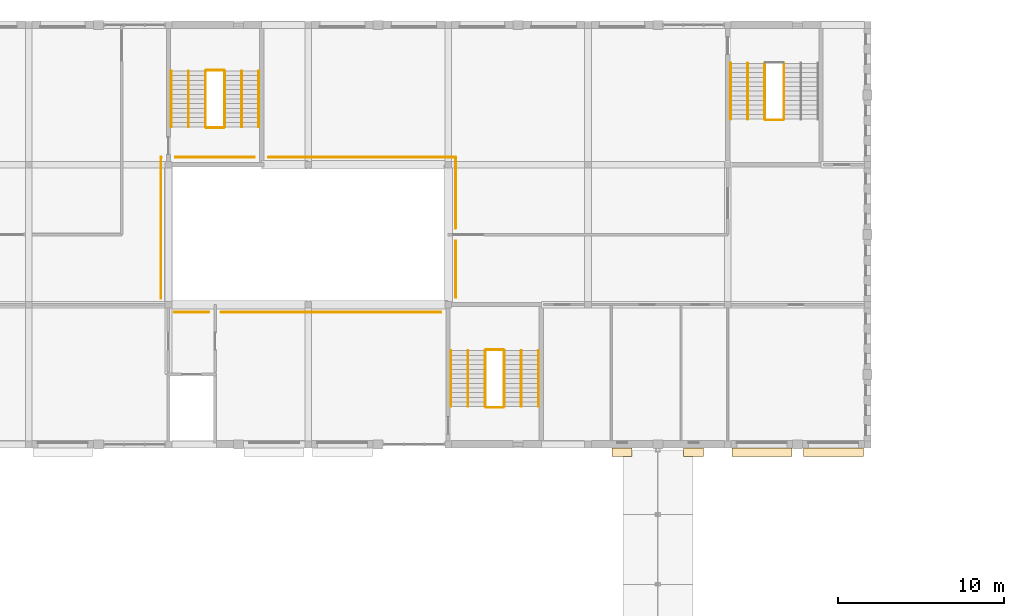
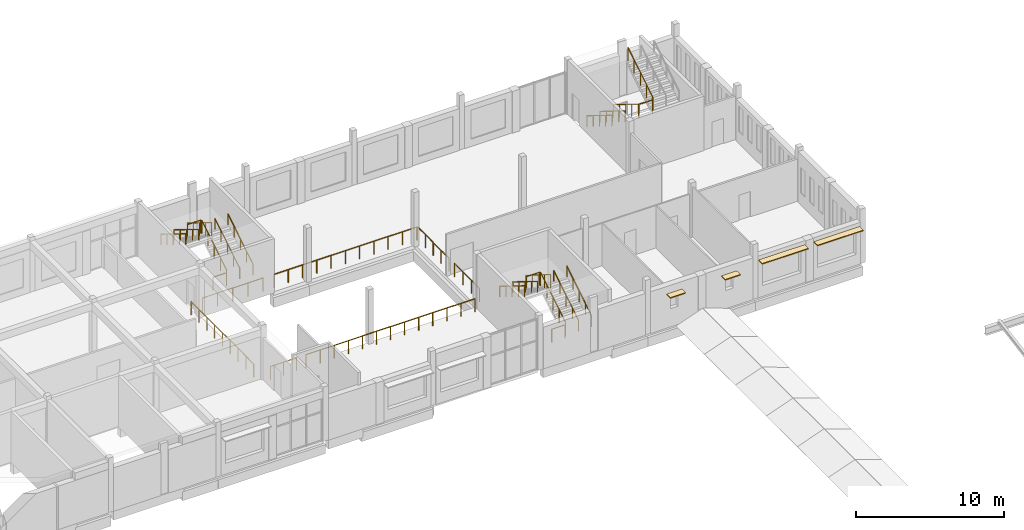
# One storey, part 37 of 38: 28 railings, 4 coverings.
"""IFC4 building model written with IfcOpenShell, lengths in metres."""

from ifc_helpers import new_model, si_unit, direction, frame, origin, origin_2d, place, context, subcontext, project, spatial, rectangle, circle, extrude, material, layer, layer_set, type_object, element, save


model = new_model("IFC4")

# Units and contexts
model_context = context("Model", 3, precision=1e-05, world=origin(), true_north=direction((0.0, 1.0)))
body_context = subcontext(model_context, "Body", "Model", "MODEL_VIEW")
ifc_project = project(units=[si_unit("LENGTHUNIT", "METRE"), si_unit("AREAUNIT", "SQUARE_METRE"), si_unit("VOLUMEUNIT", "CUBIC_METRE"), si_unit("PLANEANGLEUNIT", "RADIAN"), si_unit("MASSUNIT", "GRAM", prefix="KILO")], contexts=[model_context])

# Site, building, storey
site_placement = place(None, origin())
site = spatial("IfcSite", under=ifc_project, at=site_placement, CompositionType="ELEMENT")
building_placement = place(site_placement, origin())
building = spatial("IfcBuilding", under=site, at=building_placement, Name="Fescue Hill Polytechnic", CompositionType="ELEMENT")
storey_placement = place(building_placement, frame((0.0, 0.0, 18.0)))
storey = spatial("IfcBuildingStorey", under=building, at=storey_placement, Name="L04", CompositionType="ELEMENT", Elevation=18.0)

# Coverings
ifc_material_1 = material(Name="Precast concrete C40/50", Category="concrete")
ifc_layer = layer(ifc_material_1, 0.080078125)
ifc_layer_set = layer_set([ifc_layer], Name="Precast concrete C40/50")
covering_type = type_object("IfcCoveringType", Name="Shade blade precast 500x80", PredefinedType="CLADDING", material=ifc_layer_set)
for number, where, z_axis, x_axis, name in (
    (1, (102.85009765625, 108.72509765625, 2.75), (0.0, 0.0, 1.0), (1.0, 0.0, 0.0), "SB-L04-V4b-4"),
    (2, (107.14990234375, 108.72509765625, 2.75), (0.0, 0.0, 1.0), (1.0, 0.0, 0.0), "SB-L04-V4b-5"),
):
    element("IfcCovering", number, at=place(storey_placement, frame(where, z_axis=z_axis, x_axis=x_axis)), inside=storey, type_object=covering_type, Name=name, PredefinedType="CLADDING", context=body_context, shape_type="SweptSolid", body=[
        extrude(rectangle(XDim=1.199951171875, YDim=0.5, at=origin_2d()), origin(), (0.0, 0.0, 1.0), 0.080078125),
    ])
for number, where, z_axis, x_axis, name in (
    (3, (111.25, 108.72509765625, 3.050048828125), (0.0, 0.0, 1.0), (1.0, 0.0, 0.0), "SB-L04-V4b-6"),
    (4, (115.550048828125, 108.72509765625, 3.050048828125), (0.0, 0.0, 1.0), (1.0, 0.0, 0.0), "SB-L04-V4b-7"),
):
    element("IfcCovering", number, at=place(storey_placement, frame(where, z_axis=z_axis, x_axis=x_axis)), inside=storey, type_object=covering_type, Name=name, PredefinedType="CLADDING", context=body_context, shape_type="SweptSolid", body=[
        extrude(rectangle(XDim=3.60009765625, YDim=0.5, at=origin_2d()), origin(), (0.0, 0.0, 1.0), 0.080078125),
    ])

# Railings
ifc_material_2 = material(Name="Steel 350W (350 MPa)", Category="steel")
railing_type_1 = type_object("IfcRailingType", Name="Stair guard steel 1100", PredefinedType="GUARDRAIL", material=ifc_material_2)
railing_1_placement = place(storey_placement, frame((111.425048828125, 132.10009765625, 0.173095703125)))
element("IfcRailing", 5, at=railing_1_placement, inside=storey, type_object=railing_type_1, Name="L04 ST-V4b-2 stair guard 1", PredefinedType="GUARDRAIL", context=body_context, shape_type="SweptSolid", body=[
    extrude(circle(Radius=0.02392578125, at=origin_2d()), frame((0.0, 0.0, 1.076171875), z_axis=(0.0, -0.850623216509, 0.525775754039), x_axis=(1.0, 0.0, 0.0)), (0.0, 0.0, 1.0), 3.9501953125),
    extrude(circle(Radius=0.02099609375, at=origin_2d()), origin(), (0.0, 0.0, 1.0), 1.052001953125),
    extrude(circle(Radius=0.02099609375, at=origin_2d()), frame((0.0, -0.840087890625, 0.519287109375)), (0.0, 0.0, 1.0), 1.052001953125),
    extrude(circle(Radius=0.02099609375, at=origin_2d()), frame((0.0, -1.68017578125, 1.03857421875)), (0.0, 0.0, 1.0), 1.052001953125),
    extrude(circle(Radius=0.02099609375, at=origin_2d()), frame((0.0, -2.52001953125, 1.5576171875)), (0.0, 0.0, 1.0), 1.052001953125),
    extrude(circle(Radius=0.02099609375, at=origin_2d()), frame((0.0, -3.360107421875, 2.076904296875)), (0.0, 0.0, 1.0), 1.052001953125),
])
railing_2_placement = place(storey_placement, frame((111.47509765625, 128.68994140625, 2.25)))
element("IfcRailing", 6, at=railing_2_placement, inside=storey, type_object=railing_type_1, Name="L04 ST-V4b-2 stair guard 2", PredefinedType="GUARDRAIL", context=body_context, shape_type="SweptSolid", body=[
    extrude(circle(Radius=0.02392578125, at=origin_2d()), frame((0.0, 0.0, 1.076171875), z_axis=(1.0, 0.0, 0.0), x_axis=(0.0, 1.0, 0.0)), (0.0, 0.0, 1.0), 1.0498046875),
    extrude(circle(Radius=0.02099609375, at=origin_2d()), origin(), (0.0, 0.0, 1.0), 1.052001953125),
    extrude(circle(Radius=0.02099609375, at=origin_2d()), frame((1.0498046875, 0.0, 0.0)), (0.0, 0.0, 1.0), 1.052001953125),
])
railing_3_placement = place(storey_placement, frame((112.574951171875, 128.739990234375, 2.423095703125)))
element("IfcRailing", 7, at=railing_3_placement, inside=storey, type_object=railing_type_1, Name="L04 ST-V4b-2 stair guard 3", PredefinedType="GUARDRAIL", context=body_context, shape_type="SweptSolid", body=[
    extrude(circle(Radius=0.02392578125, at=origin_2d()), frame((0.0, 0.0, 1.076171875), z_axis=(0.0, 0.850623216509, 0.525775754039), x_axis=(-1.0, 0.0, 0.0)), (0.0, 0.0, 1.0), 3.9501953125),
    extrude(circle(Radius=0.02099609375, at=origin_2d()), origin(), (0.0, 0.0, 1.0), 1.052001953125),
    extrude(circle(Radius=0.02099609375, at=origin_2d()), frame((0.0, 0.840087890625, 0.519287109375)), (0.0, 0.0, 1.0), 1.052001953125),
    extrude(circle(Radius=0.02099609375, at=origin_2d()), frame((0.0, 1.68017578125, 1.03857421875)), (0.0, 0.0, 1.0), 1.052001953125),
    extrude(circle(Radius=0.02099609375, at=origin_2d()), frame((0.0, 2.52001953125, 1.5576171875)), (0.0, 0.0, 1.0), 1.052001953125),
    extrude(circle(Radius=0.02099609375, at=origin_2d()), frame((0.0, 3.360107421875, 2.076904296875)), (0.0, 0.0, 1.0), 1.052001953125),
])
railing_4_placement = place(storey_placement, frame((95.77490234375, 111.47509765625, 0.173095703125)))
element("IfcRailing", 8, at=railing_4_placement, inside=storey, type_object=railing_type_1, Name="L04 ST-V4b-3 stair guard 1", PredefinedType="GUARDRAIL", context=body_context, shape_type="SweptSolid", body=[
    extrude(circle(Radius=0.02392578125, at=origin_2d()), frame((0.0, 0.0, 1.076171875), z_axis=(0.0, 0.850606129759, 0.525803396734), x_axis=(-1.0, 0.0, 0.0)), (0.0, 0.0, 1.0), 3.949951171875),
    extrude(circle(Radius=0.02099609375, at=origin_2d()), origin(), (0.0, 0.0, 1.0), 1.052001953125),
    extrude(circle(Radius=0.02099609375, at=origin_2d()), frame((0.0, 0.83984375, 0.519287109375)), (0.0, 0.0, 1.0), 1.052001953125),
    extrude(circle(Radius=0.02099609375, at=origin_2d()), frame((0.0, 1.679931640625, 1.03857421875)), (0.0, 0.0, 1.0), 1.052001953125),
    extrude(circle(Radius=0.02099609375, at=origin_2d()), frame((0.0, 2.52001953125, 1.5576171875)), (0.0, 0.0, 1.0), 1.052001953125),
    extrude(circle(Radius=0.02099609375, at=origin_2d()), frame((0.0, 3.35986328125, 2.076904296875)), (0.0, 0.0, 1.0), 1.052001953125),
])
railing_5_placement = place(storey_placement, frame((95.72509765625, 114.885009765625, 2.25)))
element("IfcRailing", 9, at=railing_5_placement, inside=storey, type_object=railing_type_1, Name="L04 ST-V4b-3 stair guard 2", PredefinedType="GUARDRAIL", context=body_context, shape_type="SweptSolid", body=[
    extrude(circle(Radius=0.02392578125, at=origin_2d()), frame((0.0, 0.0, 1.076171875), z_axis=(-1.0, 0.0, 0.0), x_axis=(0.0, -1.0, 0.0)), (0.0, 0.0, 1.0), 1.050048828125),
    extrude(circle(Radius=0.02099609375, at=origin_2d()), origin(), (0.0, 0.0, 1.0), 1.052001953125),
    extrude(circle(Radius=0.02099609375, at=origin_2d()), frame((-1.050048828125, 0.0, 0.0)), (0.0, 0.0, 1.0), 1.052001953125),
])
railing_6_placement = place(storey_placement, frame((94.625, 114.8349609375, 2.423095703125)))
element("IfcRailing", 10, at=railing_6_placement, inside=storey, type_object=railing_type_1, Name="L04 ST-V4b-3 stair guard 3", PredefinedType="GUARDRAIL", context=body_context, shape_type="SweptSolid", body=[
    extrude(circle(Radius=0.02392578125, at=origin_2d()), frame((0.0, 0.0, 1.076171875), z_axis=(0.0, -0.850606129759, 0.525803396734), x_axis=(1.0, 0.0, 0.0)), (0.0, 0.0, 1.0), 3.949951171875),
    extrude(circle(Radius=0.02099609375, at=origin_2d()), origin(), (0.0, 0.0, 1.0), 1.052001953125),
    extrude(circle(Radius=0.02099609375, at=origin_2d()), frame((0.0, -0.83984375, 0.519287109375)), (0.0, 0.0, 1.0), 1.052001953125),
    extrude(circle(Radius=0.02099609375, at=origin_2d()), frame((0.0, -1.679931640625, 1.03857421875)), (0.0, 0.0, 1.0), 1.052001953125),
    extrude(circle(Radius=0.02099609375, at=origin_2d()), frame((0.0, -2.52001953125, 1.5576171875)), (0.0, 0.0, 1.0), 1.052001953125),
    extrude(circle(Radius=0.02099609375, at=origin_2d()), frame((0.0, -3.35986328125, 2.076904296875)), (0.0, 0.0, 1.0), 1.052001953125),
])
railing_7_placement = place(storey_placement, frame((95.72509765625, 111.425048828125, 0.0)))
element("IfcRailing", 11, at=railing_7_placement, inside=storey, type_object=railing_type_1, Name="L04 ST-V4b-3 stair guard 4", PredefinedType="GUARDRAIL", context=body_context, shape_type="SweptSolid", body=[
    extrude(circle(Radius=0.02392578125, at=origin_2d()), frame((0.0, 0.0, 1.076171875), z_axis=(-1.0, 0.0, 0.0), x_axis=(0.0, -1.0, 0.0)), (0.0, 0.0, 1.0), 1.050048828125),
    extrude(circle(Radius=0.02099609375, at=origin_2d()), origin(), (0.0, 0.0, 1.0), 1.052001953125),
    extrude(circle(Radius=0.02099609375, at=origin_2d()), frame((-1.050048828125, 0.0, 0.0)), (0.0, 0.0, 1.0), 1.052001953125),
])
railing_8_placement = place(storey_placement, frame((78.97509765625, 128.27490234375, 0.173095703125)))
element("IfcRailing", 12, at=railing_8_placement, inside=storey, type_object=railing_type_1, Name="L04 ST-V4b-4 stair guard 1", PredefinedType="GUARDRAIL", context=body_context, shape_type="SweptSolid", body=[
    extrude(circle(Radius=0.02392578125, at=origin_2d()), frame((0.0, 0.0, 1.076171875), z_axis=(0.0, 0.850623216509, 0.525775754039), x_axis=(-1.0, 0.0, 0.0)), (0.0, 0.0, 1.0), 3.9501953125),
    extrude(circle(Radius=0.02099609375, at=origin_2d()), origin(), (0.0, 0.0, 1.0), 1.052001953125),
    extrude(circle(Radius=0.02099609375, at=origin_2d()), frame((0.0, 0.840087890625, 0.519287109375)), (0.0, 0.0, 1.0), 1.052001953125),
    extrude(circle(Radius=0.02099609375, at=origin_2d()), frame((0.0, 1.68017578125, 1.03857421875)), (0.0, 0.0, 1.0), 1.052001953125),
    extrude(circle(Radius=0.02099609375, at=origin_2d()), frame((0.0, 2.52001953125, 1.5576171875)), (0.0, 0.0, 1.0), 1.052001953125),
    extrude(circle(Radius=0.02099609375, at=origin_2d()), frame((0.0, 3.360107421875, 2.076904296875)), (0.0, 0.0, 1.0), 1.052001953125),
])
railing_9_placement = place(storey_placement, frame((78.925048828125, 131.68505859375, 2.25)))
element("IfcRailing", 13, at=railing_9_placement, inside=storey, type_object=railing_type_1, Name="L04 ST-V4b-4 stair guard 2", PredefinedType="GUARDRAIL", context=body_context, shape_type="SweptSolid", body=[
    extrude(circle(Radius=0.02392578125, at=origin_2d()), frame((0.0, 0.0, 1.076171875), z_axis=(-1.0, 0.0, 0.0), x_axis=(0.0, -1.0, 0.0)), (0.0, 0.0, 1.0), 1.050048828125),
    extrude(circle(Radius=0.02099609375, at=origin_2d()), origin(), (0.0, 0.0, 1.0), 1.052001953125),
    extrude(circle(Radius=0.02099609375, at=origin_2d()), frame((-1.050048828125, 0.0, 0.0)), (0.0, 0.0, 1.0), 1.052001953125),
])
railing_10_placement = place(storey_placement, frame((77.824951171875, 131.635009765625, 2.423095703125)))
element("IfcRailing", 14, at=railing_10_placement, inside=storey, type_object=railing_type_1, Name="L04 ST-V4b-4 stair guard 3", PredefinedType="GUARDRAIL", context=body_context, shape_type="SweptSolid", body=[
    extrude(circle(Radius=0.02392578125, at=origin_2d()), frame((0.0, 0.0, 1.076171875), z_axis=(0.0, -0.850623216509, 0.525775754039), x_axis=(1.0, 0.0, 0.0)), (0.0, 0.0, 1.0), 3.9501953125),
    extrude(circle(Radius=0.02099609375, at=origin_2d()), origin(), (0.0, 0.0, 1.0), 1.052001953125),
    extrude(circle(Radius=0.02099609375, at=origin_2d()), frame((0.0, -0.840087890625, 0.519287109375)), (0.0, 0.0, 1.0), 1.052001953125),
    extrude(circle(Radius=0.02099609375, at=origin_2d()), frame((0.0, -1.68017578125, 1.03857421875)), (0.0, 0.0, 1.0), 1.052001953125),
    extrude(circle(Radius=0.02099609375, at=origin_2d()), frame((0.0, -2.52001953125, 1.5576171875)), (0.0, 0.0, 1.0), 1.052001953125),
    extrude(circle(Radius=0.02099609375, at=origin_2d()), frame((0.0, -3.360107421875, 2.076904296875)), (0.0, 0.0, 1.0), 1.052001953125),
])
railing_11_placement = place(storey_placement, frame((78.925048828125, 128.22509765625, 0.0)))
element("IfcRailing", 15, at=railing_11_placement, inside=storey, type_object=railing_type_1, Name="L04 ST-V4b-4 stair guard 4", PredefinedType="GUARDRAIL", context=body_context, shape_type="SweptSolid", body=[
    extrude(circle(Radius=0.02392578125, at=origin_2d()), frame((0.0, 0.0, 1.076171875), z_axis=(-1.0, 0.0, 0.0), x_axis=(0.0, -1.0, 0.0)), (0.0, 0.0, 1.0), 1.050048828125),
    extrude(circle(Radius=0.02099609375, at=origin_2d()), origin(), (0.0, 0.0, 1.0), 1.052001953125),
    extrude(circle(Radius=0.02099609375, at=origin_2d()), frame((-1.050048828125, 0.0, 0.0)), (0.0, 0.0, 1.0), 1.052001953125),
])
railing_type_2 = type_object("IfcRailingType", Name="Stair handrail steel 900", PredefinedType="HANDRAIL", material=ifc_material_2)
for number, where, name in (
    (16, (109.375, 132.10009765625, 0.173095703125), "L04 ST-V4b-2 stair handrail 1"),
    (17, (110.39990234375, 132.10009765625, 0.173095703125), "L04 ST-V4b-2 stair handrail 3"),
):
    element("IfcRailing", number, at=place(storey_placement, frame(where)), inside=storey, type_object=railing_type_2, Name=name, PredefinedType="HANDRAIL", context=body_context, shape_type="SweptSolid", body=[
        extrude(circle(Radius=0.02392578125, at=origin_2d()), frame((0.0, 0.0, 0.8759765625), z_axis=(0.0, -0.850623216509, 0.525775754039), x_axis=(1.0, 0.0, 0.0)), (0.0, 0.0, 1.0), 3.9501953125),
        extrude(circle(Radius=0.02099609375, at=origin_2d()), origin(), (0.0, 0.0, 1.0), 0.851806640625),
        extrude(circle(Radius=0.02099609375, at=origin_2d()), frame((0.0, -0.840087890625, 0.519287109375)), (0.0, 0.0, 1.0), 0.851806640625),
        extrude(circle(Radius=0.02099609375, at=origin_2d()), frame((0.0, -1.68017578125, 1.03857421875)), (0.0, 0.0, 1.0), 0.851806640625),
        extrude(circle(Radius=0.02099609375, at=origin_2d()), frame((0.0, -2.52001953125, 1.5576171875)), (0.0, 0.0, 1.0), 0.851806640625),
        extrude(circle(Radius=0.02099609375, at=origin_2d()), frame((0.0, -3.360107421875, 2.076904296875)), (0.0, 0.0, 1.0), 0.851806640625),
    ])
railing_12_placement = place(storey_placement, frame((97.824951171875, 111.47509765625, 0.173095703125)))
element("IfcRailing", 18, at=railing_12_placement, inside=storey, type_object=railing_type_2, Name="L04 ST-V4b-3 stair handrail 1", PredefinedType="HANDRAIL", context=body_context, shape_type="SweptSolid", body=[
    extrude(circle(Radius=0.02392578125, at=origin_2d()), frame((0.0, 0.0, 0.8759765625), z_axis=(0.0, 0.850606129759, 0.525803396734), x_axis=(-1.0, 0.0, 0.0)), (0.0, 0.0, 1.0), 3.949951171875),
    extrude(circle(Radius=0.02099609375, at=origin_2d()), origin(), (0.0, 0.0, 1.0), 0.851806640625),
    extrude(circle(Radius=0.02099609375, at=origin_2d()), frame((0.0, 0.83984375, 0.519287109375)), (0.0, 0.0, 1.0), 0.851806640625),
    extrude(circle(Radius=0.02099609375, at=origin_2d()), frame((0.0, 1.679931640625, 1.03857421875)), (0.0, 0.0, 1.0), 0.851806640625),
    extrude(circle(Radius=0.02099609375, at=origin_2d()), frame((0.0, 2.52001953125, 1.5576171875)), (0.0, 0.0, 1.0), 0.851806640625),
    extrude(circle(Radius=0.02099609375, at=origin_2d()), frame((0.0, 3.35986328125, 2.076904296875)), (0.0, 0.0, 1.0), 0.851806640625),
])
railing_13_placement = place(storey_placement, frame((92.574951171875, 114.8349609375, 2.423095703125)))
element("IfcRailing", 19, at=railing_13_placement, inside=storey, type_object=railing_type_2, Name="L04 ST-V4b-3 stair handrail 2", PredefinedType="HANDRAIL", context=body_context, shape_type="SweptSolid", body=[
    extrude(circle(Radius=0.02392578125, at=origin_2d()), frame((0.0, 0.0, 0.8759765625), z_axis=(0.0, -0.850606129759, 0.525803396734), x_axis=(1.0, 0.0, 0.0)), (0.0, 0.0, 1.0), 3.949951171875),
    extrude(circle(Radius=0.02099609375, at=origin_2d()), origin(), (0.0, 0.0, 1.0), 0.851806640625),
    extrude(circle(Radius=0.02099609375, at=origin_2d()), frame((0.0, -0.83984375, 0.519287109375)), (0.0, 0.0, 1.0), 0.851806640625),
    extrude(circle(Radius=0.02099609375, at=origin_2d()), frame((0.0, -1.679931640625, 1.03857421875)), (0.0, 0.0, 1.0), 0.851806640625),
    extrude(circle(Radius=0.02099609375, at=origin_2d()), frame((0.0, -2.52001953125, 1.5576171875)), (0.0, 0.0, 1.0), 0.851806640625),
    extrude(circle(Radius=0.02099609375, at=origin_2d()), frame((0.0, -3.35986328125, 2.076904296875)), (0.0, 0.0, 1.0), 0.851806640625),
])
railing_14_placement = place(storey_placement, frame((96.800048828125, 111.47509765625, 0.173095703125)))
element("IfcRailing", 20, at=railing_14_placement, inside=storey, type_object=railing_type_2, Name="L04 ST-V4b-3 stair handrail 3", PredefinedType="HANDRAIL", context=body_context, shape_type="SweptSolid", body=[
    extrude(circle(Radius=0.02392578125, at=origin_2d()), frame((0.0, 0.0, 0.8759765625), z_axis=(0.0, 0.850606129759, 0.525803396734), x_axis=(-1.0, 0.0, 0.0)), (0.0, 0.0, 1.0), 3.949951171875),
    extrude(circle(Radius=0.02099609375, at=origin_2d()), origin(), (0.0, 0.0, 1.0), 0.851806640625),
    extrude(circle(Radius=0.02099609375, at=origin_2d()), frame((0.0, 0.83984375, 0.519287109375)), (0.0, 0.0, 1.0), 0.851806640625),
    extrude(circle(Radius=0.02099609375, at=origin_2d()), frame((0.0, 1.679931640625, 1.03857421875)), (0.0, 0.0, 1.0), 0.851806640625),
    extrude(circle(Radius=0.02099609375, at=origin_2d()), frame((0.0, 2.52001953125, 1.5576171875)), (0.0, 0.0, 1.0), 0.851806640625),
    extrude(circle(Radius=0.02099609375, at=origin_2d()), frame((0.0, 3.35986328125, 2.076904296875)), (0.0, 0.0, 1.0), 0.851806640625),
])
railing_15_placement = place(storey_placement, frame((93.60009765625, 114.8349609375, 2.423095703125)))
element("IfcRailing", 21, at=railing_15_placement, inside=storey, type_object=railing_type_2, Name="L04 ST-V4b-3 stair handrail 4", PredefinedType="HANDRAIL", context=body_context, shape_type="SweptSolid", body=[
    extrude(circle(Radius=0.02392578125, at=origin_2d()), frame((0.0, 0.0, 0.8759765625), z_axis=(0.0, -0.850606129759, 0.525803396734), x_axis=(1.0, 0.0, 0.0)), (0.0, 0.0, 1.0), 3.949951171875),
    extrude(circle(Radius=0.02099609375, at=origin_2d()), origin(), (0.0, 0.0, 1.0), 0.851806640625),
    extrude(circle(Radius=0.02099609375, at=origin_2d()), frame((0.0, -0.83984375, 0.519287109375)), (0.0, 0.0, 1.0), 0.851806640625),
    extrude(circle(Radius=0.02099609375, at=origin_2d()), frame((0.0, -1.679931640625, 1.03857421875)), (0.0, 0.0, 1.0), 0.851806640625),
    extrude(circle(Radius=0.02099609375, at=origin_2d()), frame((0.0, -2.52001953125, 1.5576171875)), (0.0, 0.0, 1.0), 0.851806640625),
    extrude(circle(Radius=0.02099609375, at=origin_2d()), frame((0.0, -3.35986328125, 2.076904296875)), (0.0, 0.0, 1.0), 0.851806640625),
])
railing_16_placement = place(storey_placement, frame((81.02490234375, 128.27490234375, 0.173095703125)))
element("IfcRailing", 22, at=railing_16_placement, inside=storey, type_object=railing_type_2, Name="L04 ST-V4b-4 stair handrail 1", PredefinedType="HANDRAIL", context=body_context, shape_type="SweptSolid", body=[
    extrude(circle(Radius=0.02392578125, at=origin_2d()), frame((0.0, 0.0, 0.8759765625), z_axis=(0.0, 0.850623216509, 0.525775754039), x_axis=(-1.0, 0.0, 0.0)), (0.0, 0.0, 1.0), 3.9501953125),
    extrude(circle(Radius=0.02099609375, at=origin_2d()), origin(), (0.0, 0.0, 1.0), 0.851806640625),
    extrude(circle(Radius=0.02099609375, at=origin_2d()), frame((0.0, 0.840087890625, 0.519287109375)), (0.0, 0.0, 1.0), 0.851806640625),
    extrude(circle(Radius=0.02099609375, at=origin_2d()), frame((0.0, 1.68017578125, 1.03857421875)), (0.0, 0.0, 1.0), 0.851806640625),
    extrude(circle(Radius=0.02099609375, at=origin_2d()), frame((0.0, 2.52001953125, 1.5576171875)), (0.0, 0.0, 1.0), 0.851806640625),
    extrude(circle(Radius=0.02099609375, at=origin_2d()), frame((0.0, 3.360107421875, 2.076904296875)), (0.0, 0.0, 1.0), 0.851806640625),
])
railing_17_placement = place(storey_placement, frame((75.77490234375, 131.635009765625, 2.423095703125)))
element("IfcRailing", 23, at=railing_17_placement, inside=storey, type_object=railing_type_2, Name="L04 ST-V4b-4 stair handrail 2", PredefinedType="HANDRAIL", context=body_context, shape_type="SweptSolid", body=[
    extrude(circle(Radius=0.02392578125, at=origin_2d()), frame((0.0, 0.0, 0.8759765625), z_axis=(0.0, -0.850623216509, 0.525775754039), x_axis=(1.0, 0.0, 0.0)), (0.0, 0.0, 1.0), 3.9501953125),
    extrude(circle(Radius=0.02099609375, at=origin_2d()), origin(), (0.0, 0.0, 1.0), 0.851806640625),
    extrude(circle(Radius=0.02099609375, at=origin_2d()), frame((0.0, -0.840087890625, 0.519287109375)), (0.0, 0.0, 1.0), 0.851806640625),
    extrude(circle(Radius=0.02099609375, at=origin_2d()), frame((0.0, -1.68017578125, 1.03857421875)), (0.0, 0.0, 1.0), 0.851806640625),
    extrude(circle(Radius=0.02099609375, at=origin_2d()), frame((0.0, -2.52001953125, 1.5576171875)), (0.0, 0.0, 1.0), 0.851806640625),
    extrude(circle(Radius=0.02099609375, at=origin_2d()), frame((0.0, -3.360107421875, 2.076904296875)), (0.0, 0.0, 1.0), 0.851806640625),
])
railing_18_placement = place(storey_placement, frame((80.0, 128.27490234375, 0.173095703125)))
element("IfcRailing", 24, at=railing_18_placement, inside=storey, type_object=railing_type_2, Name="L04 ST-V4b-4 stair handrail 3", PredefinedType="HANDRAIL", context=body_context, shape_type="SweptSolid", body=[
    extrude(circle(Radius=0.02392578125, at=origin_2d()), frame((0.0, 0.0, 0.8759765625), z_axis=(0.0, 0.850623216509, 0.525775754039), x_axis=(-1.0, 0.0, 0.0)), (0.0, 0.0, 1.0), 3.9501953125),
    extrude(circle(Radius=0.02099609375, at=origin_2d()), origin(), (0.0, 0.0, 1.0), 0.851806640625),
    extrude(circle(Radius=0.02099609375, at=origin_2d()), frame((0.0, 0.840087890625, 0.519287109375)), (0.0, 0.0, 1.0), 0.851806640625),
    extrude(circle(Radius=0.02099609375, at=origin_2d()), frame((0.0, 1.68017578125, 1.03857421875)), (0.0, 0.0, 1.0), 0.851806640625),
    extrude(circle(Radius=0.02099609375, at=origin_2d()), frame((0.0, 2.52001953125, 1.5576171875)), (0.0, 0.0, 1.0), 0.851806640625),
    extrude(circle(Radius=0.02099609375, at=origin_2d()), frame((0.0, 3.360107421875, 2.076904296875)), (0.0, 0.0, 1.0), 0.851806640625),
])
railing_19_placement = place(storey_placement, frame((76.800048828125, 131.635009765625, 2.423095703125)))
element("IfcRailing", 25, at=railing_19_placement, inside=storey, type_object=railing_type_2, Name="L04 ST-V4b-4 stair handrail 4", PredefinedType="HANDRAIL", context=body_context, shape_type="SweptSolid", body=[
    extrude(circle(Radius=0.02392578125, at=origin_2d()), frame((0.0, 0.0, 0.8759765625), z_axis=(0.0, -0.850623216509, 0.525775754039), x_axis=(1.0, 0.0, 0.0)), (0.0, 0.0, 1.0), 3.9501953125),
    extrude(circle(Radius=0.02099609375, at=origin_2d()), origin(), (0.0, 0.0, 1.0), 0.851806640625),
    extrude(circle(Radius=0.02099609375, at=origin_2d()), frame((0.0, -0.840087890625, 0.519287109375)), (0.0, 0.0, 1.0), 0.851806640625),
    extrude(circle(Radius=0.02099609375, at=origin_2d()), frame((0.0, -1.68017578125, 1.03857421875)), (0.0, 0.0, 1.0), 0.851806640625),
    extrude(circle(Radius=0.02099609375, at=origin_2d()), frame((0.0, -2.52001953125, 1.5576171875)), (0.0, 0.0, 1.0), 0.851806640625),
    extrude(circle(Radius=0.02099609375, at=origin_2d()), frame((0.0, -3.360107421875, 2.076904296875)), (0.0, 0.0, 1.0), 0.851806640625),
])
railing_type_3 = type_object("IfcRailingType", Name="Void edge guard steel 1100", PredefinedType="GUARDRAIL", material=ifc_material_2)
railing_20_placement = place(storey_placement, frame((92.85009765625, 126.449951171875, 0.0)))
element("IfcRailing", 26, at=railing_20_placement, inside=storey, type_object=railing_type_3, Name="L04 V4b void edge guard 1", PredefinedType="GUARDRAIL", context=body_context, shape_type="SweptSolid", body=[
    extrude(circle(Radius=0.02392578125, at=origin_2d()), frame((0.0, 0.0, 1.076171875), z_axis=(0.0, -1.0, 0.0), x_axis=(1.0, 0.0, 0.0)), (0.0, 0.0, 1.0), 4.27490234375),
    extrude(circle(Radius=0.02099609375, at=origin_2d()), origin(), (0.0, 0.0, 1.0), 1.052001953125),
    extrude(circle(Radius=0.02099609375, at=origin_2d()), frame((0.0, -1.06884765625, 0.0)), (0.0, 0.0, 1.0), 1.052001953125),
    extrude(circle(Radius=0.02099609375, at=origin_2d()), frame((0.0, -2.137451171875, 0.0)), (0.0, 0.0, 1.0), 1.052001953125),
    extrude(circle(Radius=0.02099609375, at=origin_2d()), frame((0.0, -3.2060546875, 0.0)), (0.0, 0.0, 1.0), 1.052001953125),
    extrude(circle(Radius=0.02099609375, at=origin_2d()), frame((0.0, -4.27490234375, 0.0)), (0.0, 0.0, 1.0), 1.052001953125),
])
railing_21_placement = place(storey_placement, frame((92.85009765625, 121.425048828125, 0.0)))
element("IfcRailing", 27, at=railing_21_placement, inside=storey, type_object=railing_type_3, Name="L04 V4b void edge guard 2", PredefinedType="GUARDRAIL", context=body_context, shape_type="SweptSolid", body=[
    extrude(circle(Radius=0.02392578125, at=origin_2d()), frame((0.0, 0.0, 1.076171875), z_axis=(0.0, -1.0, 0.0), x_axis=(1.0, 0.0, 0.0)), (0.0, 0.0, 1.0), 3.400146484375),
    extrude(circle(Radius=0.02099609375, at=origin_2d()), origin(), (0.0, 0.0, 1.0), 1.052001953125),
    extrude(circle(Radius=0.02099609375, at=origin_2d()), frame((0.0, -1.13330078125, 0.0)), (0.0, 0.0, 1.0), 1.052001953125),
    extrude(circle(Radius=0.02099609375, at=origin_2d()), frame((0.0, -2.266845703125, 0.0)), (0.0, 0.0, 1.0), 1.052001953125),
    extrude(circle(Radius=0.02099609375, at=origin_2d()), frame((0.0, -3.400146484375, 0.0)), (0.0, 0.0, 1.0), 1.052001953125),
])
railing_22_placement = place(storey_placement, frame((91.97509765625, 117.14990234375, 0.0)))
element("IfcRailing", 28, at=railing_22_placement, inside=storey, type_object=railing_type_3, Name="L04 V4b void edge guard 3", PredefinedType="GUARDRAIL", context=body_context, shape_type="SweptSolid", body=[
    extrude(circle(Radius=0.02392578125, at=origin_2d()), frame((0.0, 0.0, 1.076171875), z_axis=(-1.0, 0.0, 0.0), x_axis=(0.0, -1.0, 0.0)), (0.0, 0.0, 1.0), 13.2001953125),
    extrude(circle(Radius=0.02099609375, at=origin_2d()), origin(), (0.0, 0.0, 1.0), 1.052001953125),
    extrude(circle(Radius=0.02099609375, at=origin_2d()), frame((-1.10009765625, 0.0, 0.0)), (0.0, 0.0, 1.0), 1.052001953125),
    extrude(circle(Radius=0.02099609375, at=origin_2d()), frame((-2.199951171875, 0.0, 0.0)), (0.0, 0.0, 1.0), 1.052001953125),
    extrude(circle(Radius=0.02099609375, at=origin_2d()), frame((-3.300048828125, 0.0, 0.0)), (0.0, 0.0, 1.0), 1.052001953125),
    extrude(circle(Radius=0.02099609375, at=origin_2d()), frame((-4.400146484375, 0.0, 0.0)), (0.0, 0.0, 1.0), 1.052001953125),
    extrude(circle(Radius=0.02099609375, at=origin_2d()), frame((-5.5, 0.0, 0.0)), (0.0, 0.0, 1.0), 1.052001953125),
    extrude(circle(Radius=0.02099609375, at=origin_2d()), frame((-6.60009765625, 0.0, 0.0)), (0.0, 0.0, 1.0), 1.052001953125),
    extrude(circle(Radius=0.02099609375, at=origin_2d()), frame((-7.7001953125, 0.0, 0.0)), (0.0, 0.0, 1.0), 1.052001953125),
    extrude(circle(Radius=0.02099609375, at=origin_2d()), frame((-8.800048828125, 0.0, 0.0)), (0.0, 0.0, 1.0), 1.052001953125),
    extrude(circle(Radius=0.02099609375, at=origin_2d()), frame((-9.900146484375, 0.0, 0.0)), (0.0, 0.0, 1.0), 1.052001953125),
    extrude(circle(Radius=0.02099609375, at=origin_2d()), frame((-11.000244140625, 0.0, 0.0)), (0.0, 0.0, 1.0), 1.052001953125),
    extrude(circle(Radius=0.02099609375, at=origin_2d()), frame((-12.10009765625, 0.0, 0.0)), (0.0, 0.0, 1.0), 1.052001953125),
    extrude(circle(Radius=0.02099609375, at=origin_2d()), frame((-13.2001953125, 0.0, 0.0)), (0.0, 0.0, 1.0), 1.052001953125),
])
railing_23_placement = place(storey_placement, frame((78.02490234375, 117.14990234375, 0.0)))
element("IfcRailing", 29, at=railing_23_placement, inside=storey, type_object=railing_type_3, Name="L04 V4b void edge guard 4", PredefinedType="GUARDRAIL", context=body_context, shape_type="SweptSolid", body=[
    extrude(circle(Radius=0.02392578125, at=origin_2d()), frame((0.0, 0.0, 1.076171875), z_axis=(-1.0, 0.0, 0.0), x_axis=(0.0, -1.0, 0.0)), (0.0, 0.0, 1.0), 2.0498046875),
    extrude(circle(Radius=0.02099609375, at=origin_2d()), origin(), (0.0, 0.0, 1.0), 1.052001953125),
    extrude(circle(Radius=0.02099609375, at=origin_2d()), frame((-1.02490234375, 0.0, 0.0)), (0.0, 0.0, 1.0), 1.052001953125),
    extrude(circle(Radius=0.02099609375, at=origin_2d()), frame((-2.0498046875, 0.0, 0.0)), (0.0, 0.0, 1.0), 1.052001953125),
])
railing_24_placement = place(storey_placement, frame((75.14990234375, 117.97509765625, 0.0)))
element("IfcRailing", 30, at=railing_24_placement, inside=storey, type_object=railing_type_3, Name="L04 V4b void edge guard 5", PredefinedType="GUARDRAIL", context=body_context, shape_type="SweptSolid", body=[
    extrude(circle(Radius=0.02392578125, at=origin_2d()), frame((0.0, 0.0, 1.076171875), z_axis=(0.0, 1.0, 0.0), x_axis=(-1.0, 0.0, 0.0)), (0.0, 0.0, 1.0), 8.474853515625),
    extrude(circle(Radius=0.02392578125, at=origin_2d()), frame((0.0, 8.474853515625, 1.076171875), z_axis=(1.0, 0.0, 0.0), x_axis=(0.0, 1.0, 0.0)), (0.0, 0.0, 1.0), 0.025146484375),
    extrude(circle(Radius=0.02099609375, at=origin_2d()), origin(), (0.0, 0.0, 1.0), 1.052001953125),
    extrude(circle(Radius=0.02099609375, at=origin_2d()), frame((0.0, 1.059326171875, 0.0)), (0.0, 0.0, 1.0), 1.052001953125),
    extrude(circle(Radius=0.02099609375, at=origin_2d()), frame((0.0, 2.11865234375, 0.0)), (0.0, 0.0, 1.0), 1.052001953125),
    extrude(circle(Radius=0.02099609375, at=origin_2d()), frame((0.0, 3.177978515625, 0.0)), (0.0, 0.0, 1.0), 1.052001953125),
    extrude(circle(Radius=0.02099609375, at=origin_2d()), frame((0.0, 4.2373046875, 0.0)), (0.0, 0.0, 1.0), 1.052001953125),
    extrude(circle(Radius=0.02099609375, at=origin_2d()), frame((0.0, 5.296875, 0.0)), (0.0, 0.0, 1.0), 1.052001953125),
    extrude(circle(Radius=0.02099609375, at=origin_2d()), frame((0.0, 6.356201171875, 0.0)), (0.0, 0.0, 1.0), 1.052001953125),
    extrude(circle(Radius=0.02099609375, at=origin_2d()), frame((0.0, 7.41552734375, 0.0)), (0.0, 0.0, 1.0), 1.052001953125),
    extrude(circle(Radius=0.02099609375, at=origin_2d()), frame((0.0, 8.474853515625, 0.0)), (0.0, 0.0, 1.0), 1.052001953125),
    extrude(circle(Radius=0.02099609375, at=origin_2d()), frame((0.025146484375, 8.474853515625, 0.0)), (0.0, 0.0, 1.0), 1.052001953125),
])
railing_25_placement = place(storey_placement, frame((76.02490234375, 126.449951171875, 0.0)))
element("IfcRailing", 31, at=railing_25_placement, inside=storey, type_object=railing_type_3, Name="L04 V4b void edge guard 6", PredefinedType="GUARDRAIL", context=body_context, shape_type="SweptSolid", body=[
    extrude(circle(Radius=0.02392578125, at=origin_2d()), frame((0.0, 0.0, 1.076171875), z_axis=(1.0, 0.0, 0.0), x_axis=(0.0, 1.0, 0.0)), (0.0, 0.0, 1.0), 4.75),
    extrude(circle(Radius=0.02099609375, at=origin_2d()), origin(), (0.0, 0.0, 1.0), 1.052001953125),
    extrude(circle(Radius=0.02099609375, at=origin_2d()), frame((1.1875, 0.0, 0.0)), (0.0, 0.0, 1.0), 1.052001953125),
    extrude(circle(Radius=0.02099609375, at=origin_2d()), frame((2.375, 0.0, 0.0)), (0.0, 0.0, 1.0), 1.052001953125),
    extrude(circle(Radius=0.02099609375, at=origin_2d()), frame((3.5625, 0.0, 0.0)), (0.0, 0.0, 1.0), 1.052001953125),
    extrude(circle(Radius=0.02099609375, at=origin_2d()), frame((4.75, 0.0, 0.0)), (0.0, 0.0, 1.0), 1.052001953125),
])
railing_26_placement = place(storey_placement, frame((81.625, 126.449951171875, 0.0)))
element("IfcRailing", 32, at=railing_26_placement, inside=storey, type_object=railing_type_3, Name="L04 V4b void edge guard 7", PredefinedType="GUARDRAIL", context=body_context, shape_type="SweptSolid", body=[
    extrude(circle(Radius=0.02392578125, at=origin_2d()), frame((0.0, 0.0, 1.076171875), z_axis=(1.0, 0.0, 0.0), x_axis=(0.0, 1.0, 0.0)), (0.0, 0.0, 1.0), 11.1650390625),
    extrude(circle(Radius=0.02099609375, at=origin_2d()), origin(), (0.0, 0.0, 1.0), 1.052001953125),
    extrude(circle(Radius=0.02099609375, at=origin_2d()), frame((1.116455078125, 0.0, 0.0)), (0.0, 0.0, 1.0), 1.052001953125),
    extrude(circle(Radius=0.02099609375, at=origin_2d()), frame((2.23291015625, 0.0, 0.0)), (0.0, 0.0, 1.0), 1.052001953125),
    extrude(circle(Radius=0.02099609375, at=origin_2d()), frame((3.349609375, 0.0, 0.0)), (0.0, 0.0, 1.0), 1.052001953125),
    extrude(circle(Radius=0.02099609375, at=origin_2d()), frame((4.466064453125, 0.0, 0.0)), (0.0, 0.0, 1.0), 1.052001953125),
    extrude(circle(Radius=0.02099609375, at=origin_2d()), frame((5.58251953125, 0.0, 0.0)), (0.0, 0.0, 1.0), 1.052001953125),
    extrude(circle(Radius=0.02099609375, at=origin_2d()), frame((6.698974609375, 0.0, 0.0)), (0.0, 0.0, 1.0), 1.052001953125),
    extrude(circle(Radius=0.02099609375, at=origin_2d()), frame((7.8154296875, 0.0, 0.0)), (0.0, 0.0, 1.0), 1.052001953125),
    extrude(circle(Radius=0.02099609375, at=origin_2d()), frame((8.93212890625, 0.0, 0.0)), (0.0, 0.0, 1.0), 1.052001953125),
    extrude(circle(Radius=0.02099609375, at=origin_2d()), frame((10.048583984375, 0.0, 0.0)), (0.0, 0.0, 1.0), 1.052001953125),
    extrude(circle(Radius=0.02099609375, at=origin_2d()), frame((11.1650390625, 0.0, 0.0)), (0.0, 0.0, 1.0), 1.052001953125),
])

save(model, "model.ifc")
